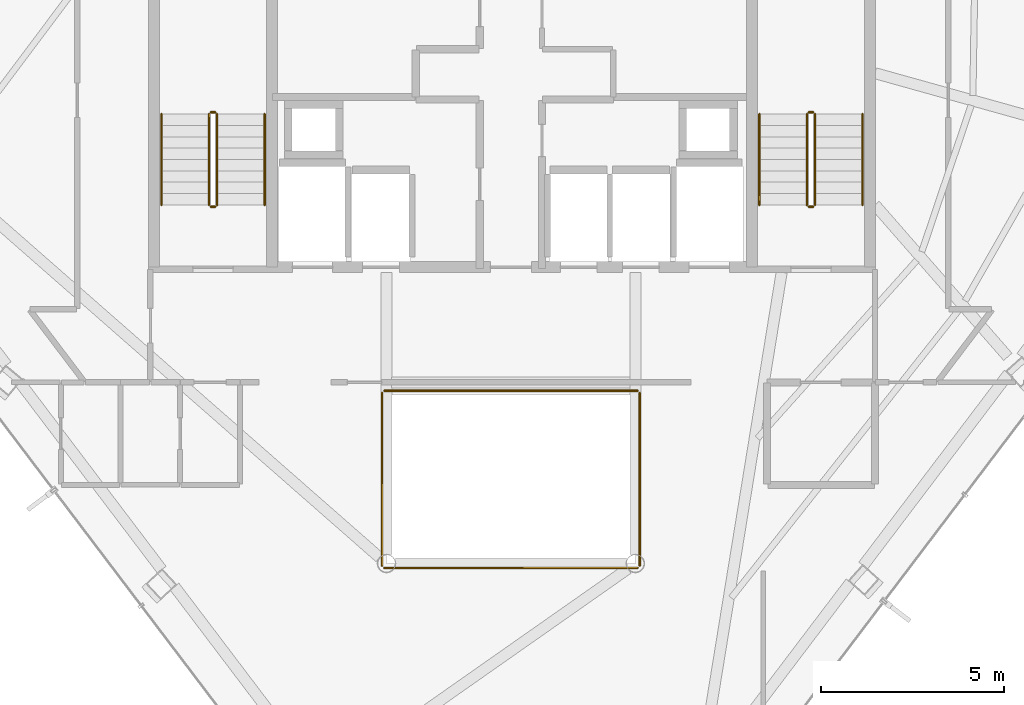
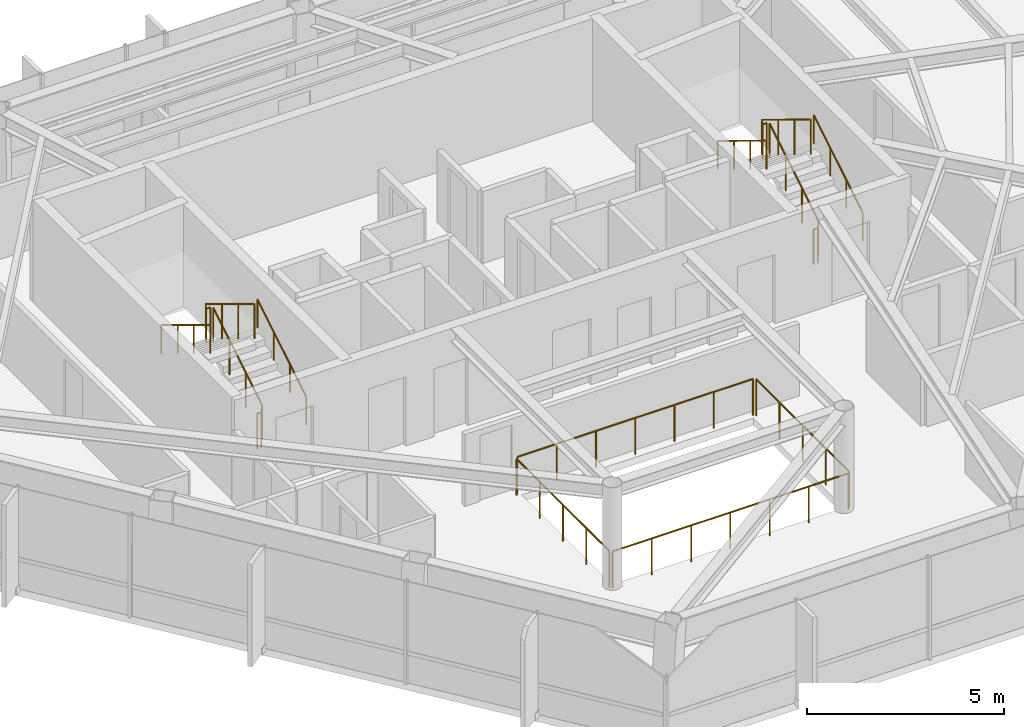
# One storey, part 27 of 27: 16 railings.
"""IFC4 building model written with IfcOpenShell, lengths in metres."""

from ifc_helpers import new_model, si_unit, direction, frame, origin, origin_2d, place, context, subcontext, project, spatial, circle, extrude, material, type_object, element, save


model = new_model("IFC4")

# Units and contexts
model_context = context("Model", 3, precision=1e-05, world=origin(), true_north=direction((0.0, 1.0)))
body_context = subcontext(model_context, "Body", "Model", "MODEL_VIEW")
ifc_project = project(units=[si_unit("LENGTHUNIT", "METRE"), si_unit("AREAUNIT", "SQUARE_METRE"), si_unit("VOLUMEUNIT", "CUBIC_METRE"), si_unit("PLANEANGLEUNIT", "RADIAN"), si_unit("MASSUNIT", "GRAM", prefix="KILO")], contexts=[model_context])

# Site, building, storey
site_placement = place(None, origin())
site = spatial("IfcSite", under=ifc_project, at=site_placement, CompositionType="ELEMENT")
building_placement = place(site_placement, origin())
building = spatial("IfcBuilding", under=site, at=building_placement, Name="Zarrinselat Tower", CompositionType="ELEMENT")
storey_placement = place(building_placement, frame((0.0, 0.0, 235.9599609375)))
storey = spatial("IfcBuildingStorey", under=building, at=storey_placement, Name="L59", CompositionType="ELEMENT", Elevation=235.9599609375)

# Railings
ifc_material_1 = material(Name="Double Low-E Laminated Solar Glass", Category="glass")
railing_type_1 = type_object("IfcRailingType", Name="RLG-ATRIUM-BAL", PredefinedType="BALUSTRADE", material=ifc_material_1)
railing_1_placement = place(storey_placement, frame((34.93994140625, 25.080078125, 0.0)))
element("IfcRailing", 1, at=railing_1_placement, inside=storey, type_object=railing_type_1, Name="L59 Atrium Void Glass Balustrade S", PredefinedType="BALUSTRADE", context=body_context, shape_type="SweptSolid", body=[
    extrude(circle(Radius=0.02392578125, at=origin_2d()), frame((0.0, 0.0, 1.1259765625), z_axis=(1.0, 0.0, 0.0), x_axis=(0.0, 1.0, 0.0)), (0.0, 0.0, 1.0), 6.920166015625),
    extrude(circle(Radius=0.02099609375, at=origin_2d()), origin(), (0.0, 0.0, 1.0), 1.099853515625),
    extrude(circle(Radius=0.02099609375, at=origin_2d()), frame((1.1533203125, 0.0, 0.0)), (0.0, 0.0, 1.0), 1.099853515625),
    extrude(circle(Radius=0.02099609375, at=origin_2d()), frame((2.306640625, 0.0, 0.0)), (0.0, 0.0, 1.0), 1.099853515625),
    extrude(circle(Radius=0.02099609375, at=origin_2d()), frame((3.4599609375, 0.0, 0.0)), (0.0, 0.0, 1.0), 1.099853515625),
    extrude(circle(Radius=0.02099609375, at=origin_2d()), frame((4.613525390625, 0.0, 0.0)), (0.0, 0.0, 1.0), 1.099853515625),
    extrude(circle(Radius=0.02099609375, at=origin_2d()), frame((5.766845703125, 0.0, 0.0)), (0.0, 0.0, 1.0), 1.099853515625),
    extrude(circle(Radius=0.02099609375, at=origin_2d()), frame((6.920166015625, 0.0, 0.0)), (0.0, 0.0, 1.0), 1.099853515625),
])
railing_2_placement = place(storey_placement, frame((41.919921875, 25.139892578125, 0.0)))
element("IfcRailing", 2, at=railing_2_placement, inside=storey, type_object=railing_type_1, Name="L59 Atrium Void Glass Balustrade E", PredefinedType="BALUSTRADE", context=body_context, shape_type="SweptSolid", body=[
    extrude(circle(Radius=0.02392578125, at=origin_2d()), frame((0.0, 0.0, 1.1259765625), z_axis=(0.0, 1.0, 0.0), x_axis=(-1.0, 0.0, 0.0)), (0.0, 0.0, 1.0), 4.72021484375),
    extrude(circle(Radius=0.02099609375, at=origin_2d()), origin(), (0.0, 0.0, 1.0), 1.099853515625),
    extrude(circle(Radius=0.02099609375, at=origin_2d()), frame((0.0, 1.18017578125, 0.0)), (0.0, 0.0, 1.0), 1.099853515625),
    extrude(circle(Radius=0.02099609375, at=origin_2d()), frame((0.0, 2.360107421875, 0.0)), (0.0, 0.0, 1.0), 1.099853515625),
    extrude(circle(Radius=0.02099609375, at=origin_2d()), frame((0.0, 3.5400390625, 0.0)), (0.0, 0.0, 1.0), 1.099853515625),
    extrude(circle(Radius=0.02099609375, at=origin_2d()), frame((0.0, 4.72021484375, 0.0)), (0.0, 0.0, 1.0), 1.099853515625),
])
railing_3_placement = place(storey_placement, frame((41.860107421875, 29.919921875, 0.0)))
element("IfcRailing", 3, at=railing_3_placement, inside=storey, type_object=railing_type_1, Name="L59 Atrium Void Glass Balustrade N", PredefinedType="BALUSTRADE", context=body_context, shape_type="SweptSolid", body=[
    extrude(circle(Radius=0.02392578125, at=origin_2d()), frame((0.0, 0.0, 1.1259765625), z_axis=(-1.0, 0.0, 0.0), x_axis=(0.0, -1.0, 0.0)), (0.0, 0.0, 1.0), 6.920166015625),
    extrude(circle(Radius=0.02099609375, at=origin_2d()), origin(), (0.0, 0.0, 1.0), 1.099853515625),
    extrude(circle(Radius=0.02099609375, at=origin_2d()), frame((-1.1533203125, 0.0, 0.0)), (0.0, 0.0, 1.0), 1.099853515625),
    extrude(circle(Radius=0.02099609375, at=origin_2d()), frame((-2.306640625, 0.0, 0.0)), (0.0, 0.0, 1.0), 1.099853515625),
    extrude(circle(Radius=0.02099609375, at=origin_2d()), frame((-3.4599609375, 0.0, 0.0)), (0.0, 0.0, 1.0), 1.099853515625),
    extrude(circle(Radius=0.02099609375, at=origin_2d()), frame((-4.613525390625, 0.0, 0.0)), (0.0, 0.0, 1.0), 1.099853515625),
    extrude(circle(Radius=0.02099609375, at=origin_2d()), frame((-5.766845703125, 0.0, 0.0)), (0.0, 0.0, 1.0), 1.099853515625),
    extrude(circle(Radius=0.02099609375, at=origin_2d()), frame((-6.920166015625, 0.0, 0.0)), (0.0, 0.0, 1.0), 1.099853515625),
])
railing_4_placement = place(storey_placement, frame((34.8798828125, 29.860107421875, 0.0)))
element("IfcRailing", 4, at=railing_4_placement, inside=storey, type_object=railing_type_1, Name="L59 Atrium Void Glass Balustrade W", PredefinedType="BALUSTRADE", context=body_context, shape_type="SweptSolid", body=[
    extrude(circle(Radius=0.02392578125, at=origin_2d()), frame((0.0, 0.0, 1.1259765625), z_axis=(0.0, -1.0, 0.0), x_axis=(1.0, 0.0, 0.0)), (0.0, 0.0, 1.0), 4.72021484375),
    extrude(circle(Radius=0.02099609375, at=origin_2d()), origin(), (0.0, 0.0, 1.0), 1.099853515625),
    extrude(circle(Radius=0.02099609375, at=origin_2d()), frame((0.0, -1.18017578125, 0.0)), (0.0, 0.0, 1.0), 1.099853515625),
    extrude(circle(Radius=0.02099609375, at=origin_2d()), frame((0.0, -2.360107421875, 0.0)), (0.0, 0.0, 1.0), 1.099853515625),
    extrude(circle(Radius=0.02099609375, at=origin_2d()), frame((0.0, -3.5400390625, 0.0)), (0.0, 0.0, 1.0), 1.099853515625),
    extrude(circle(Radius=0.02099609375, at=origin_2d()), frame((0.0, -4.72021484375, 0.0)), (0.0, 0.0, 1.0), 1.099853515625),
])
ifc_material_2 = material(Name="Steel S355J2", Category="steel")
railing_type_2 = type_object("IfcRailingType", Name="RLG-STAIR-GUARD", PredefinedType="GUARDRAIL", material=ifc_material_2)
railing_5_placement = place(storey_placement, frame((30.3701171875, 35.0, 0.18896484375)))
element("IfcRailing", 5, at=railing_5_placement, inside=storey, type_object=railing_type_2, Name="L59 ST-1 stair guard 1", PredefinedType="GUARDRAIL", context=body_context, shape_type="SweptSolid", body=[
    extrude(circle(Radius=0.02392578125, at=origin_2d()), frame((0.0, 0.0, 1.076171875), z_axis=(0.0, 0.8539793189, 0.520306950647), x_axis=(-1.0, 0.0, 0.0)), (0.0, 0.0, 1.0), 2.904052734375),
    extrude(circle(Radius=0.02099609375, at=origin_2d()), origin(), (0.0, 0.0, 1.0), 1.050048828125),
    extrude(circle(Radius=0.02099609375, at=origin_2d()), frame((0.0, 0.82666015625, 0.503662109375)), (0.0, 0.0, 1.0), 1.050048828125),
    extrude(circle(Radius=0.02099609375, at=origin_2d()), frame((0.0, 1.6533203125, 1.00732421875)), (0.0, 0.0, 1.0), 1.050048828125),
    extrude(circle(Radius=0.02099609375, at=origin_2d()), frame((0.0, 2.47998046875, 1.510986328125)), (0.0, 0.0, 1.0), 1.050048828125),
])
railing_6_placement = place(storey_placement, frame((30.320068359375, 37.530029296875, 1.699951171875)))
element("IfcRailing", 6, at=railing_6_placement, inside=storey, type_object=railing_type_2, Name="L59 ST-1 stair guard 2", PredefinedType="GUARDRAIL", context=body_context, shape_type="SweptSolid", body=[
    extrude(circle(Radius=0.02392578125, at=origin_2d()), frame((0.0, 0.0, 1.076171875), z_axis=(-1.0, 0.0, 0.0), x_axis=(0.0, -1.0, 0.0)), (0.0, 0.0, 1.0), 0.1201171875),
    extrude(circle(Radius=0.02099609375, at=origin_2d()), origin(), (0.0, 0.0, 1.0), 1.050048828125),
    extrude(circle(Radius=0.02099609375, at=origin_2d()), frame((-0.1201171875, 0.0, 0.0)), (0.0, 0.0, 1.0), 1.050048828125),
])
railing_7_placement = place(storey_placement, frame((30.14990234375, 37.47998046875, 1.888916015625)))
element("IfcRailing", 7, at=railing_7_placement, inside=storey, type_object=railing_type_2, Name="L59 ST-1 stair guard 3", PredefinedType="GUARDRAIL", context=body_context, shape_type="SweptSolid", body=[
    extrude(circle(Radius=0.02392578125, at=origin_2d()), frame((0.0, 0.0, 1.076171875), z_axis=(0.0, -0.853941963558, 0.520368256982), x_axis=(1.0, 0.0, 0.0)), (0.0, 0.0, 1.0), 2.904052734375),
    extrude(circle(Radius=0.02099609375, at=origin_2d()), origin(), (0.0, 0.0, 1.0), 1.050048828125),
    extrude(circle(Radius=0.02099609375, at=origin_2d()), frame((0.0, -0.82666015625, 0.503662109375)), (0.0, 0.0, 1.0), 1.050048828125),
    extrude(circle(Radius=0.02099609375, at=origin_2d()), frame((0.0, -1.6533203125, 1.007568359375)), (0.0, 0.0, 1.0), 1.050048828125),
    extrude(circle(Radius=0.02099609375, at=origin_2d()), frame((0.0, -2.47998046875, 1.51123046875)), (0.0, 0.0, 1.0), 1.050048828125),
])
railing_8_placement = place(storey_placement, frame((30.320068359375, 34.949951171875, 0.0)))
element("IfcRailing", 8, at=railing_8_placement, inside=storey, type_object=railing_type_2, Name="L59 ST-1 stair guard 4", PredefinedType="GUARDRAIL", context=body_context, shape_type="SweptSolid", body=[
    extrude(circle(Radius=0.02392578125, at=origin_2d()), frame((0.0, 0.0, 1.076171875), z_axis=(-1.0, 0.0, 0.0), x_axis=(0.0, -1.0, 0.0)), (0.0, 0.0, 1.0), 0.1201171875),
    extrude(circle(Radius=0.02099609375, at=origin_2d()), origin(), (0.0, 0.0, 1.0), 1.050048828125),
    extrude(circle(Radius=0.02099609375, at=origin_2d()), frame((-0.1201171875, 0.0, 0.0)), (0.0, 0.0, 1.0), 1.050048828125),
])
railing_9_placement = place(storey_placement, frame((46.7099609375, 35.0, 0.18896484375)))
element("IfcRailing", 9, at=railing_9_placement, inside=storey, type_object=railing_type_2, Name="L59 ST-2 stair guard 1", PredefinedType="GUARDRAIL", context=body_context, shape_type="SweptSolid", body=[
    extrude(circle(Radius=0.02392578125, at=origin_2d()), frame((0.0, 0.0, 1.076171875), z_axis=(0.0, 0.8539793189, 0.520306950647), x_axis=(-1.0, 0.0, 0.0)), (0.0, 0.0, 1.0), 2.904052734375),
    extrude(circle(Radius=0.02099609375, at=origin_2d()), origin(), (0.0, 0.0, 1.0), 1.050048828125),
    extrude(circle(Radius=0.02099609375, at=origin_2d()), frame((0.0, 0.82666015625, 0.503662109375)), (0.0, 0.0, 1.0), 1.050048828125),
    extrude(circle(Radius=0.02099609375, at=origin_2d()), frame((0.0, 1.6533203125, 1.00732421875)), (0.0, 0.0, 1.0), 1.050048828125),
    extrude(circle(Radius=0.02099609375, at=origin_2d()), frame((0.0, 2.47998046875, 1.510986328125)), (0.0, 0.0, 1.0), 1.050048828125),
])
railing_10_placement = place(storey_placement, frame((46.659912109375, 37.530029296875, 1.699951171875)))
element("IfcRailing", 10, at=railing_10_placement, inside=storey, type_object=railing_type_2, Name="L59 ST-2 stair guard 2", PredefinedType="GUARDRAIL", context=body_context, shape_type="SweptSolid", body=[
    extrude(circle(Radius=0.02392578125, at=origin_2d()), frame((0.0, 0.0, 1.076171875), z_axis=(-1.0, 0.0, 0.0), x_axis=(0.0, -1.0, 0.0)), (0.0, 0.0, 1.0), 0.119873046875),
    extrude(circle(Radius=0.02099609375, at=origin_2d()), origin(), (0.0, 0.0, 1.0), 1.050048828125),
    extrude(circle(Radius=0.02099609375, at=origin_2d()), frame((-0.119873046875, 0.0, 0.0)), (0.0, 0.0, 1.0), 1.050048828125),
])
railing_11_placement = place(storey_placement, frame((46.489990234375, 37.47998046875, 1.888916015625)))
element("IfcRailing", 11, at=railing_11_placement, inside=storey, type_object=railing_type_2, Name="L59 ST-2 stair guard 3", PredefinedType="GUARDRAIL", context=body_context, shape_type="SweptSolid", body=[
    extrude(circle(Radius=0.02392578125, at=origin_2d()), frame((0.0, 0.0, 1.076171875), z_axis=(0.0, -0.853941963558, 0.520368256982), x_axis=(1.0, 0.0, 0.0)), (0.0, 0.0, 1.0), 2.904052734375),
    extrude(circle(Radius=0.02099609375, at=origin_2d()), origin(), (0.0, 0.0, 1.0), 1.050048828125),
    extrude(circle(Radius=0.02099609375, at=origin_2d()), frame((0.0, -0.82666015625, 0.503662109375)), (0.0, 0.0, 1.0), 1.050048828125),
    extrude(circle(Radius=0.02099609375, at=origin_2d()), frame((0.0, -1.6533203125, 1.007568359375)), (0.0, 0.0, 1.0), 1.050048828125),
    extrude(circle(Radius=0.02099609375, at=origin_2d()), frame((0.0, -2.47998046875, 1.51123046875)), (0.0, 0.0, 1.0), 1.050048828125),
])
railing_12_placement = place(storey_placement, frame((46.659912109375, 34.949951171875, 0.0)))
element("IfcRailing", 12, at=railing_12_placement, inside=storey, type_object=railing_type_2, Name="L59 ST-2 stair guard 4", PredefinedType="GUARDRAIL", context=body_context, shape_type="SweptSolid", body=[
    extrude(circle(Radius=0.02392578125, at=origin_2d()), frame((0.0, 0.0, 1.076171875), z_axis=(-1.0, 0.0, 0.0), x_axis=(0.0, -1.0, 0.0)), (0.0, 0.0, 1.0), 0.119873046875),
    extrude(circle(Radius=0.02099609375, at=origin_2d()), origin(), (0.0, 0.0, 1.0), 1.050048828125),
    extrude(circle(Radius=0.02099609375, at=origin_2d()), frame((-0.119873046875, 0.0, 0.0)), (0.0, 0.0, 1.0), 1.050048828125),
])
ifc_material_3 = material(Name="Steel S355J2", Category="steel")
railing_type_3 = type_object("IfcRailingType", Name="RLG-STAIR-HAND", PredefinedType="HANDRAIL", material=ifc_material_3)
railing_13_placement = place(storey_placement, frame((31.669921875, 35.0, 0.18896484375)))
element("IfcRailing", 13, at=railing_13_placement, inside=storey, type_object=railing_type_3, Name="L59 ST-1 stair handrail 1", PredefinedType="HANDRAIL", context=body_context, shape_type="SweptSolid", body=[
    extrude(circle(Radius=0.02392578125, at=origin_2d()), frame((0.0, 0.0, 0.8759765625), z_axis=(0.0, 0.8539793189, 0.520306950647), x_axis=(-1.0, 0.0, 0.0)), (0.0, 0.0, 1.0), 2.904052734375),
    extrude(circle(Radius=0.02099609375, at=origin_2d()), origin(), (0.0, 0.0, 1.0), 0.849853515625),
    extrude(circle(Radius=0.02099609375, at=origin_2d()), frame((0.0, 0.82666015625, 0.503662109375)), (0.0, 0.0, 1.0), 0.849853515625),
    extrude(circle(Radius=0.02099609375, at=origin_2d()), frame((0.0, 1.6533203125, 1.00732421875)), (0.0, 0.0, 1.0), 0.849853515625),
    extrude(circle(Radius=0.02099609375, at=origin_2d()), frame((0.0, 2.47998046875, 1.510986328125)), (0.0, 0.0, 1.0), 0.849853515625),
])
railing_14_placement = place(storey_placement, frame((28.85009765625, 37.47998046875, 1.888916015625)))
element("IfcRailing", 14, at=railing_14_placement, inside=storey, type_object=railing_type_3, Name="L59 ST-1 stair handrail 2", PredefinedType="HANDRAIL", context=body_context, shape_type="SweptSolid", body=[
    extrude(circle(Radius=0.02392578125, at=origin_2d()), frame((0.0, 0.0, 0.8759765625), z_axis=(0.0, -0.853941963558, 0.520368256982), x_axis=(1.0, 0.0, 0.0)), (0.0, 0.0, 1.0), 2.904052734375),
    extrude(circle(Radius=0.02099609375, at=origin_2d()), origin(), (0.0, 0.0, 1.0), 0.849853515625),
    extrude(circle(Radius=0.02099609375, at=origin_2d()), frame((0.0, -0.82666015625, 0.503662109375)), (0.0, 0.0, 1.0), 0.849853515625),
    extrude(circle(Radius=0.02099609375, at=origin_2d()), frame((0.0, -1.6533203125, 1.007568359375)), (0.0, 0.0, 1.0), 0.849853515625),
    extrude(circle(Radius=0.02099609375, at=origin_2d()), frame((0.0, -2.47998046875, 1.51123046875)), (0.0, 0.0, 1.0), 0.849853515625),
])
railing_15_placement = place(storey_placement, frame((48.010009765625, 35.0, 0.18896484375)))
element("IfcRailing", 15, at=railing_15_placement, inside=storey, type_object=railing_type_3, Name="L59 ST-2 stair handrail 1", PredefinedType="HANDRAIL", context=body_context, shape_type="SweptSolid", body=[
    extrude(circle(Radius=0.02392578125, at=origin_2d()), frame((0.0, 0.0, 0.8759765625), z_axis=(0.0, 0.8539793189, 0.520306950647), x_axis=(-1.0, 0.0, 0.0)), (0.0, 0.0, 1.0), 2.904052734375),
    extrude(circle(Radius=0.02099609375, at=origin_2d()), origin(), (0.0, 0.0, 1.0), 0.849853515625),
    extrude(circle(Radius=0.02099609375, at=origin_2d()), frame((0.0, 0.82666015625, 0.503662109375)), (0.0, 0.0, 1.0), 0.849853515625),
    extrude(circle(Radius=0.02099609375, at=origin_2d()), frame((0.0, 1.6533203125, 1.00732421875)), (0.0, 0.0, 1.0), 0.849853515625),
    extrude(circle(Radius=0.02099609375, at=origin_2d()), frame((0.0, 2.47998046875, 1.510986328125)), (0.0, 0.0, 1.0), 0.849853515625),
])
railing_16_placement = place(storey_placement, frame((45.18994140625, 37.47998046875, 1.888916015625)))
element("IfcRailing", 16, at=railing_16_placement, inside=storey, type_object=railing_type_3, Name="L59 ST-2 stair handrail 2", PredefinedType="HANDRAIL", context=body_context, shape_type="SweptSolid", body=[
    extrude(circle(Radius=0.02392578125, at=origin_2d()), frame((0.0, 0.0, 0.8759765625), z_axis=(0.0, -0.853941963558, 0.520368256982), x_axis=(1.0, 0.0, 0.0)), (0.0, 0.0, 1.0), 2.904052734375),
    extrude(circle(Radius=0.02099609375, at=origin_2d()), origin(), (0.0, 0.0, 1.0), 0.849853515625),
    extrude(circle(Radius=0.02099609375, at=origin_2d()), frame((0.0, -0.82666015625, 0.503662109375)), (0.0, 0.0, 1.0), 0.849853515625),
    extrude(circle(Radius=0.02099609375, at=origin_2d()), frame((0.0, -1.6533203125, 1.007568359375)), (0.0, 0.0, 1.0), 0.849853515625),
    extrude(circle(Radius=0.02099609375, at=origin_2d()), frame((0.0, -2.47998046875, 1.51123046875)), (0.0, 0.0, 1.0), 0.849853515625),
])

save(model, "model.ifc")
